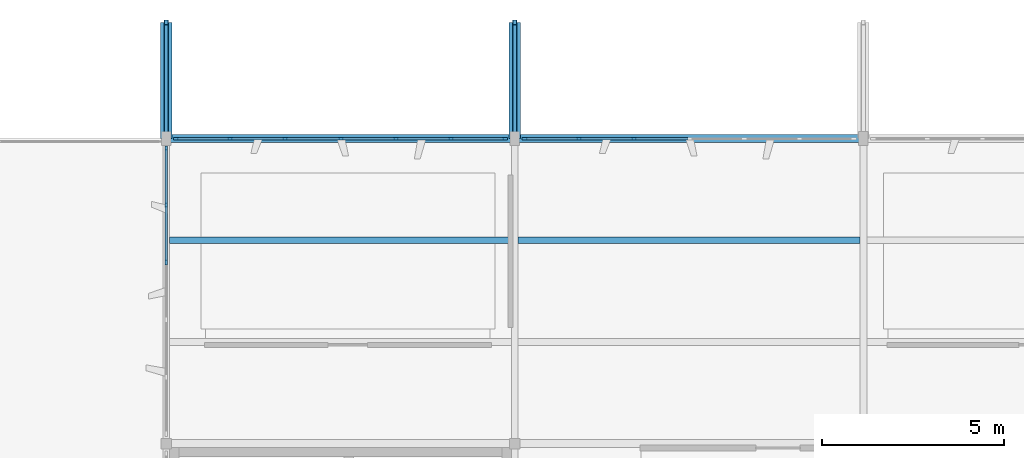
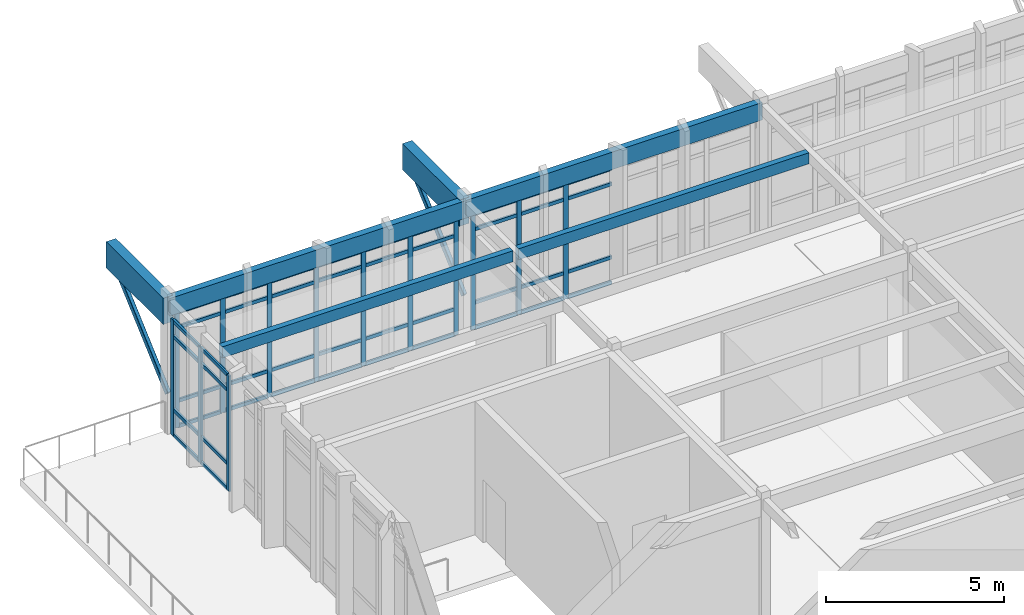
# One storey, part 8 of 19: 59 members, 6 beams, 3 elements without a shape of their own.
"""IFC4 building model written with IfcOpenShell, lengths in metres."""

from ifc_helpers import new_model, si_unit, direction, frame, origin, origin_2d, place, context, subcontext, project, spatial, rectangle, hollow_rectangle, extrude, material, layer, layer_set, material_profile, profile_set, type_object, element, aggregate, save


model = new_model("IFC4")

# Units and contexts
model_context = context("Model", 3, precision=1e-05, world=origin(), true_north=direction((0.0, 1.0)))
body_context = subcontext(model_context, "Body", "Model", "MODEL_VIEW")
ifc_project = project(units=[si_unit("LENGTHUNIT", "METRE"), si_unit("AREAUNIT", "SQUARE_METRE"), si_unit("VOLUMEUNIT", "CUBIC_METRE"), si_unit("PLANEANGLEUNIT", "RADIAN"), si_unit("MASSUNIT", "GRAM", prefix="KILO")], contexts=[model_context])

# Site, building, storey
site_placement = place(None, origin())
site = spatial("IfcSite", under=ifc_project, at=site_placement, CompositionType="ELEMENT")
building_placement = place(site_placement, origin())
building = spatial("IfcBuilding", under=site, at=building_placement, Name="Kolvemor Railside Polytechnic", CompositionType="ELEMENT")
storey_placement = place(building_placement, frame((0.0, 0.0, 27.0)))
storey = spatial("IfcBuildingStorey", under=building, at=storey_placement, Name="L06", CompositionType="ELEMENT", Elevation=27.0)

# Beams
ifc_material_1 = material(Name="Glulam GL28h", Category="wood")
ifc_material_profile_1 = material_profile(ifc_material_1, rectangle(XDim=0.31494140625, YDim=0.89990234375, at=origin_2d()), Name="GL315x900")
ifc_profile_set_1 = profile_set([ifc_material_profile_1], Name="Glulam GL28h")
beam_type_1 = type_object("IfcBeamType", Name="BM-GL-CANT", PredefinedType="BEAM", material=ifc_profile_set_1)
for number, where, z_axis, x_axis, name in (
    (1, (67.199951171875, 38.39990234375, 4.114990234375), (0.0, 1.0, 0.0), (-1.0, 0.0, 0.0), "Cantilever Outrigger RF-GYC 1765"),
    (2, (76.800048828125, 38.39990234375, 4.114990234375), (0.0, 1.0, 0.0), (-1.0, 0.0, 0.0), "Cantilever Outrigger RF-GYC 1772"),
):
    element("IfcBeam", number, at=place(storey_placement, frame(where, z_axis=z_axis, x_axis=x_axis)), inside=storey, type_object=beam_type_1, Name=name, PredefinedType="BEAM", context=body_context, shape_type="SweptSolid", body=[
        extrude(rectangle(XDim=0.31494140625, YDim=0.89990234375, at=origin_2d()), origin(), (0.0, 0.0, 1.0), 3.2001953125),
    ])
ifc_material_2 = material(Name="Glulam GL28h", Category="wood")
ifc_material_profile_2 = material_profile(ifc_material_2, rectangle(XDim=0.215087890625, YDim=0.60009765625, at=origin_2d()), Name="GL215x600")
ifc_profile_set_2 = profile_set([ifc_material_profile_2], Name="Glulam GL28h")
beam_type_2 = type_object("IfcBeamType", Name="BM-GL-EAVE", PredefinedType="BEAM", material=ifc_profile_set_2)
beam_1_placement = place(storey_placement, frame((67.199951171875, 38.39990234375, 4.264892578125), z_axis=(1.0, 0.0, 0.0), x_axis=(0.0, 1.0, 0.0)))
element("IfcBeam", 3, at=beam_1_placement, inside=storey, type_object=beam_type_2, Name="Primary Girder RF-GX 1755", PredefinedType="BEAM", context=body_context, shape_type="SweptSolid", body=[
    extrude(rectangle(XDim=0.215087890625, YDim=0.60009765625, at=origin_2d()), origin(), (0.0, 0.0, 1.0), 9.60009765625),
])
beam_2_placement = place(storey_placement, frame((76.800048828125, 38.39990234375, 4.264892578125), z_axis=(1.0, 0.0, 0.0), x_axis=(0.0, 1.0, 0.0)))
element("IfcBeam", 4, at=beam_2_placement, inside=storey, type_object=beam_type_2, Name="Primary Girder RF-GX 1756", PredefinedType="BEAM", context=body_context, shape_type="SweptSolid", body=[
    extrude(rectangle(XDim=0.215087890625, YDim=0.60009765625, at=origin_2d()), origin(), (0.0, 0.0, 1.0), 9.599853515625),
])
ifc_material_3 = material(Name="Glulam GL28h", Category="wood")
ifc_material_profile_3 = material_profile(ifc_material_3, rectangle(XDim=0.18505859375, YDim=0.3798828125, at=origin_2d()), Name="GL185x380")
ifc_profile_set_3 = profile_set([ifc_material_profile_3], Name="Glulam GL28h")
beam_type_3 = type_object("IfcBeamType", Name="BM-GL-JST6", PredefinedType="JOIST", material=ifc_profile_set_3)
for number, where, z_axis, x_axis, name in (
    (5, (67.2919921875, 35.60009765625, 4.375), (1.0, 0.0, 0.0), (0.0, 1.0, 0.0), "Floor Joist RF-J1805"),
    (6, (76.89208984375, 35.60009765625, 4.375), (1.0, 0.0, 0.0), (0.0, 1.0, 0.0), "Floor Joist RF-J1811"),
):
    element("IfcBeam", number, at=place(storey_placement, frame(where, z_axis=z_axis, x_axis=x_axis)), inside=storey, type_object=beam_type_3, Name=name, PredefinedType="JOIST", context=body_context, shape_type="SweptSolid", body=[
        extrude(rectangle(XDim=0.18505859375, YDim=0.3798828125, at=origin_2d()), origin(), (0.0, 0.0, 1.0), 9.416015625),
    ])

# Curtain wall, members
ifc_material_4 = material(Name="Anodised marine aluminium and laminated low-E glass", Category="aluminium")
ifc_layer = layer(ifc_material_4, 0.179931640625, Name="CW-STICK-LIB")
ifc_layer_set = layer_set([ifc_layer], Name="Anodised marine aluminium and laminated low-E glass")
curtain_wall_type = type_object("IfcCurtainWallType", Name="CW-STICK-LIB", PredefinedType="USERDEFINED", material=ifc_layer_set)
curtain_wall_1_placement = place(storey_placement, origin())
curtain_wall_1 = element("IfcCurtainWall", 7, at=curtain_wall_1_placement, inside=storey, type_object=curtain_wall_type, Name="Curtain Wall L06-141", ObjectType="STICK GLAZED SCREEN", PredefinedType="USERDEFINED")
ifc_material_5 = material(Name="Anodised marine aluminium 6063-T6", Category="aluminium")
ifc_material_profile_4 = material_profile(ifc_material_5, rectangle(XDim=0.06494140625, YDim=0.14990234375, at=origin_2d()), Name="CW-MUL-65x150")
ifc_profile_set_4 = profile_set([ifc_material_profile_4], Name="Anodised marine aluminium 6063-T6")
member_type_1 = type_object("IfcMemberType", Name="CWM-65x150", PredefinedType="MULLION", material=ifc_profile_set_4)
member_1_placement = place(storey_placement, frame((76.527587890625, 38.39990234375, 0.0), z_axis=(0.0, 0.0, 1.0), x_axis=(0.0, -1.0, 0.0)))
member_1 = element("IfcMember", 8, at=member_1_placement, type_object=member_type_1, Name="CW-LIB mullion 1", PredefinedType="MULLION", context=body_context, shape_type="SweptSolid", body=[
    extrude(rectangle(XDim=0.06494140625, YDim=0.14990234375, at=origin_2d()), origin(), (0.0, 0.0, 1.0), 3.965087890625),
])
member_2_placement = place(storey_placement, frame((75.0400390625, 38.39990234375, 0.0), z_axis=(0.0, 0.0, 1.0), x_axis=(0.0, -1.0, 0.0)))
member_2 = element("IfcMember", 9, at=member_2_placement, type_object=member_type_1, Name="CW-LIB mullion 2", PredefinedType="MULLION", context=body_context, shape_type="SweptSolid", body=[
    extrude(rectangle(XDim=0.06494140625, YDim=0.14990234375, at=origin_2d()), origin(), (0.0, 0.0, 1.0), 3.965087890625),
])
member_3_placement = place(storey_placement, frame((73.52001953125, 38.39990234375, 0.0), z_axis=(0.0, 0.0, 1.0), x_axis=(0.0, -1.0, 0.0)))
member_3 = element("IfcMember", 10, at=member_3_placement, type_object=member_type_1, Name="CW-LIB mullion 3", PredefinedType="MULLION", context=body_context, shape_type="SweptSolid", body=[
    extrude(rectangle(XDim=0.06494140625, YDim=0.14990234375, at=origin_2d()), origin(), (0.0, 0.0, 1.0), 3.965087890625),
])
member_4_placement = place(storey_placement, frame((72.0, 38.39990234375, 0.0), z_axis=(0.0, 0.0, 1.0), x_axis=(0.0, -1.0, 0.0)))
member_4 = element("IfcMember", 11, at=member_4_placement, type_object=member_type_1, Name="CW-LIB mullion 4", PredefinedType="MULLION", context=body_context, shape_type="SweptSolid", body=[
    extrude(rectangle(XDim=0.06494140625, YDim=0.14990234375, at=origin_2d()), origin(), (0.0, 0.0, 1.0), 3.965087890625),
])
member_5_placement = place(storey_placement, frame((70.47998046875, 38.39990234375, 0.0), z_axis=(0.0, 0.0, 1.0), x_axis=(0.0, -1.0, 0.0)))
member_5 = element("IfcMember", 12, at=member_5_placement, type_object=member_type_1, Name="CW-LIB mullion 5", PredefinedType="MULLION", context=body_context, shape_type="SweptSolid", body=[
    extrude(rectangle(XDim=0.06494140625, YDim=0.14990234375, at=origin_2d()), origin(), (0.0, 0.0, 1.0), 3.965087890625),
])
member_6_placement = place(storey_placement, frame((68.9599609375, 38.39990234375, 0.0), z_axis=(0.0, 0.0, 1.0), x_axis=(0.0, -1.0, 0.0)))
member_6 = element("IfcMember", 13, at=member_6_placement, type_object=member_type_1, Name="CW-LIB mullion 6", PredefinedType="MULLION", context=body_context, shape_type="SweptSolid", body=[
    extrude(rectangle(XDim=0.06494140625, YDim=0.14990234375, at=origin_2d()), origin(), (0.0, 0.0, 1.0), 3.965087890625),
])
member_7_placement = place(storey_placement, frame((67.472412109375, 38.39990234375, 0.0), z_axis=(0.0, 0.0, 1.0), x_axis=(0.0, -1.0, 0.0)))
member_7 = element("IfcMember", 14, at=member_7_placement, type_object=member_type_1, Name="CW-LIB mullion 7", PredefinedType="MULLION", context=body_context, shape_type="SweptSolid", body=[
    extrude(rectangle(XDim=0.06494140625, YDim=0.14990234375, at=origin_2d()), origin(), (0.0, 0.0, 1.0), 3.965087890625),
])

curtain_wall_2_placement = place(storey_placement, origin())
curtain_wall_2 = element("IfcCurtainWall", 15, at=curtain_wall_2_placement, inside=storey, type_object=curtain_wall_type, Name="Curtain Wall L06-143", ObjectType="STICK GLAZED SCREEN", PredefinedType="USERDEFINED")
member_8_placement = place(storey_placement, frame((80.080078125, 38.39990234375, 0.0), z_axis=(0.0, 0.0, 1.0), x_axis=(0.0, -1.0, 0.0)))
member_8 = element("IfcMember", 16, at=member_8_placement, type_object=member_type_1, Name="CW-LIB mullion 5", PredefinedType="MULLION", context=body_context, shape_type="SweptSolid", body=[
    extrude(rectangle(XDim=0.06494140625, YDim=0.14990234375, at=origin_2d()), origin(), (0.0, 0.0, 1.0), 3.965087890625),
])
member_9_placement = place(storey_placement, frame((78.56005859375, 38.39990234375, 0.0), z_axis=(0.0, 0.0, 1.0), x_axis=(0.0, -1.0, 0.0)))
member_9 = element("IfcMember", 17, at=member_9_placement, type_object=member_type_1, Name="CW-LIB mullion 6", PredefinedType="MULLION", context=body_context, shape_type="SweptSolid", body=[
    extrude(rectangle(XDim=0.06494140625, YDim=0.14990234375, at=origin_2d()), origin(), (0.0, 0.0, 1.0), 3.965087890625),
])
member_10_placement = place(storey_placement, frame((77.072509765625, 38.39990234375, 0.0), z_axis=(0.0, 0.0, 1.0), x_axis=(0.0, -1.0, 0.0)))
member_10 = element("IfcMember", 18, at=member_10_placement, type_object=member_type_1, Name="CW-LIB mullion 7", PredefinedType="MULLION", context=body_context, shape_type="SweptSolid", body=[
    extrude(rectangle(XDim=0.06494140625, YDim=0.14990234375, at=origin_2d()), origin(), (0.0, 0.0, 1.0), 3.965087890625),
])

curtain_wall_3_placement = place(storey_placement, origin())
curtain_wall_3 = element("IfcCurtainWall", 19, at=curtain_wall_3_placement, inside=storey, type_object=curtain_wall_type, Name="Curtain Wall L06-151", ObjectType="STICK GLAZED SCREEN", PredefinedType="USERDEFINED")
member_11_placement = place(storey_placement, frame((67.199951171875, 38.12744140625, 0.0), z_axis=(0.0, 0.0, 1.0), x_axis=(1.0, 0.0, 0.0)))
member_11 = element("IfcMember", 20, at=member_11_placement, type_object=member_type_1, Name="CW-LIB mullion 1", PredefinedType="MULLION", context=body_context, shape_type="SweptSolid", body=[
    extrude(rectangle(XDim=0.06494140625, YDim=0.14990234375, at=origin_2d()), origin(), (0.0, 0.0, 1.0), 3.965087890625),
])
member_12_placement = place(storey_placement, frame((67.199951171875, 36.575927734375, 0.0), z_axis=(0.0, 0.0, 1.0), x_axis=(1.0, 0.0, 0.0)))
member_12 = element("IfcMember", 21, at=member_12_placement, type_object=member_type_1, Name="CW-LIB mullion 2", PredefinedType="MULLION", context=body_context, shape_type="SweptSolid", body=[
    extrude(rectangle(XDim=0.06494140625, YDim=0.14990234375, at=origin_2d()), origin(), (0.0, 0.0, 1.0), 3.965087890625),
])
member_13_placement = place(storey_placement, frame((67.199951171875, 34.991943359375, 0.0), z_axis=(0.0, 0.0, 1.0), x_axis=(1.0, 0.0, 0.0)))
member_13 = element("IfcMember", 22, at=member_13_placement, type_object=member_type_1, Name="CW-LIB mullion 3", PredefinedType="MULLION", context=body_context, shape_type="SweptSolid", body=[
    extrude(rectangle(XDim=0.06494140625, YDim=0.14990234375, at=origin_2d()), origin(), (0.0, 0.0, 1.0), 3.965087890625),
])

# Member
ifc_material_6 = material(Name="Anodised marine aluminium 6063-T6", Category="aluminium")
ifc_material_profile_5 = material_profile(ifc_material_6, rectangle(XDim=0.06494140625, YDim=0.1201171875, at=origin_2d()), Name="CW-TRN-65x120")
ifc_profile_set_5 = profile_set([ifc_material_profile_5], Name="Anodised marine aluminium 6063-T6")
member_type_2 = type_object("IfcMemberType", Name="CWT-65x120", PredefinedType="USERDEFINED", material=ifc_profile_set_5)
member_14_placement = place(storey_placement, frame((76.4951171875, 38.39990234375, 0.032470703125), z_axis=(-1.0, 0.0, 0.0), x_axis=(0.0, -1.0, 0.0)))
member_14 = element("IfcMember", 23, at=member_14_placement, type_object=member_type_2, Name="CW-LIB transom 1.1", ObjectType="TRANSOM", PredefinedType="USERDEFINED", context=body_context, shape_type="SweptSolid", body=[
    extrude(rectangle(XDim=0.06494140625, YDim=0.1201171875, at=origin_2d()), origin(), (0.0, 0.0, 1.0), 1.422607421875),
])

member_15_placement = place(storey_placement, frame((76.4951171875, 38.39990234375, 0.89990234375), z_axis=(-1.0, 0.0, 0.0), x_axis=(0.0, -1.0, 0.0)))
member_15 = element("IfcMember", 24, at=member_15_placement, type_object=member_type_2, Name="CW-LIB transom 1.2", ObjectType="TRANSOM", PredefinedType="USERDEFINED", context=body_context, shape_type="SweptSolid", body=[
    extrude(rectangle(XDim=0.06494140625, YDim=0.1201171875, at=origin_2d()), origin(), (0.0, 0.0, 1.0), 1.422607421875),
])

member_16_placement = place(storey_placement, frame((76.4951171875, 38.39990234375, 3.4150390625), z_axis=(-1.0, 0.0, 0.0), x_axis=(0.0, -1.0, 0.0)))
member_16 = element("IfcMember", 25, at=member_16_placement, type_object=member_type_2, Name="CW-LIB transom 1.3", ObjectType="TRANSOM", PredefinedType="USERDEFINED", context=body_context, shape_type="SweptSolid", body=[
    extrude(rectangle(XDim=0.06494140625, YDim=0.1201171875, at=origin_2d()), origin(), (0.0, 0.0, 1.0), 1.422607421875),
])

member_17_placement = place(storey_placement, frame((76.4951171875, 38.39990234375, 3.9326171875), z_axis=(-1.0, 0.0, 0.0), x_axis=(0.0, -1.0, 0.0)))
member_17 = element("IfcMember", 26, at=member_17_placement, type_object=member_type_2, Name="CW-LIB transom 1.4", ObjectType="TRANSOM", PredefinedType="USERDEFINED", context=body_context, shape_type="SweptSolid", body=[
    extrude(rectangle(XDim=0.06494140625, YDim=0.1201171875, at=origin_2d()), origin(), (0.0, 0.0, 1.0), 1.422607421875),
])

member_18_placement = place(storey_placement, frame((75.007568359375, 38.39990234375, 0.032470703125), z_axis=(-1.0, 0.0, 0.0), x_axis=(0.0, -1.0, 0.0)))
member_18 = element("IfcMember", 27, at=member_18_placement, type_object=member_type_2, Name="CW-LIB transom 2.1", ObjectType="TRANSOM", PredefinedType="USERDEFINED", context=body_context, shape_type="SweptSolid", body=[
    extrude(rectangle(XDim=0.06494140625, YDim=0.1201171875, at=origin_2d()), origin(), (0.0, 0.0, 1.0), 1.455078125),
])

member_19_placement = place(storey_placement, frame((75.007568359375, 38.39990234375, 0.89990234375), z_axis=(-1.0, 0.0, 0.0), x_axis=(0.0, -1.0, 0.0)))
member_19 = element("IfcMember", 28, at=member_19_placement, type_object=member_type_2, Name="CW-LIB transom 2.2", ObjectType="TRANSOM", PredefinedType="USERDEFINED", context=body_context, shape_type="SweptSolid", body=[
    extrude(rectangle(XDim=0.06494140625, YDim=0.1201171875, at=origin_2d()), origin(), (0.0, 0.0, 1.0), 1.455078125),
])

member_20_placement = place(storey_placement, frame((75.007568359375, 38.39990234375, 3.4150390625), z_axis=(-1.0, 0.0, 0.0), x_axis=(0.0, -1.0, 0.0)))
member_20 = element("IfcMember", 29, at=member_20_placement, type_object=member_type_2, Name="CW-LIB transom 2.3", ObjectType="TRANSOM", PredefinedType="USERDEFINED", context=body_context, shape_type="SweptSolid", body=[
    extrude(rectangle(XDim=0.06494140625, YDim=0.1201171875, at=origin_2d()), origin(), (0.0, 0.0, 1.0), 1.455078125),
])

member_21_placement = place(storey_placement, frame((75.007568359375, 38.39990234375, 3.9326171875), z_axis=(-1.0, 0.0, 0.0), x_axis=(0.0, -1.0, 0.0)))
member_21 = element("IfcMember", 30, at=member_21_placement, type_object=member_type_2, Name="CW-LIB transom 2.4", ObjectType="TRANSOM", PredefinedType="USERDEFINED", context=body_context, shape_type="SweptSolid", body=[
    extrude(rectangle(XDim=0.06494140625, YDim=0.1201171875, at=origin_2d()), origin(), (0.0, 0.0, 1.0), 1.455078125),
])

member_22_placement = place(storey_placement, frame((73.487548828125, 38.39990234375, 0.032470703125), z_axis=(-1.0, 0.0, 0.0), x_axis=(0.0, -1.0, 0.0)))
member_22 = element("IfcMember", 31, at=member_22_placement, type_object=member_type_2, Name="CW-LIB transom 3.1", ObjectType="TRANSOM", PredefinedType="USERDEFINED", context=body_context, shape_type="SweptSolid", body=[
    extrude(rectangle(XDim=0.06494140625, YDim=0.1201171875, at=origin_2d()), origin(), (0.0, 0.0, 1.0), 1.455078125),
])

member_23_placement = place(storey_placement, frame((73.487548828125, 38.39990234375, 0.89990234375), z_axis=(-1.0, 0.0, 0.0), x_axis=(0.0, -1.0, 0.0)))
member_23 = element("IfcMember", 32, at=member_23_placement, type_object=member_type_2, Name="CW-LIB transom 3.2", ObjectType="TRANSOM", PredefinedType="USERDEFINED", context=body_context, shape_type="SweptSolid", body=[
    extrude(rectangle(XDim=0.06494140625, YDim=0.1201171875, at=origin_2d()), origin(), (0.0, 0.0, 1.0), 1.455078125),
])

member_24_placement = place(storey_placement, frame((73.487548828125, 38.39990234375, 3.4150390625), z_axis=(-1.0, 0.0, 0.0), x_axis=(0.0, -1.0, 0.0)))
member_24 = element("IfcMember", 33, at=member_24_placement, type_object=member_type_2, Name="CW-LIB transom 3.3", ObjectType="TRANSOM", PredefinedType="USERDEFINED", context=body_context, shape_type="SweptSolid", body=[
    extrude(rectangle(XDim=0.06494140625, YDim=0.1201171875, at=origin_2d()), origin(), (0.0, 0.0, 1.0), 1.455078125),
])

member_25_placement = place(storey_placement, frame((73.487548828125, 38.39990234375, 3.9326171875), z_axis=(-1.0, 0.0, 0.0), x_axis=(0.0, -1.0, 0.0)))
member_25 = element("IfcMember", 34, at=member_25_placement, type_object=member_type_2, Name="CW-LIB transom 3.4", ObjectType="TRANSOM", PredefinedType="USERDEFINED", context=body_context, shape_type="SweptSolid", body=[
    extrude(rectangle(XDim=0.06494140625, YDim=0.1201171875, at=origin_2d()), origin(), (0.0, 0.0, 1.0), 1.455078125),
])

member_26_placement = place(storey_placement, frame((71.967529296875, 38.39990234375, 0.032470703125), z_axis=(-1.0, 0.0, 0.0), x_axis=(0.0, -1.0, 0.0)))
member_26 = element("IfcMember", 35, at=member_26_placement, type_object=member_type_2, Name="CW-LIB transom 4.1", ObjectType="TRANSOM", PredefinedType="USERDEFINED", context=body_context, shape_type="SweptSolid", body=[
    extrude(rectangle(XDim=0.06494140625, YDim=0.1201171875, at=origin_2d()), origin(), (0.0, 0.0, 1.0), 1.455078125),
])

member_27_placement = place(storey_placement, frame((71.967529296875, 38.39990234375, 0.89990234375), z_axis=(-1.0, 0.0, 0.0), x_axis=(0.0, -1.0, 0.0)))
member_27 = element("IfcMember", 36, at=member_27_placement, type_object=member_type_2, Name="CW-LIB transom 4.2", ObjectType="TRANSOM", PredefinedType="USERDEFINED", context=body_context, shape_type="SweptSolid", body=[
    extrude(rectangle(XDim=0.06494140625, YDim=0.1201171875, at=origin_2d()), origin(), (0.0, 0.0, 1.0), 1.455078125),
])

member_28_placement = place(storey_placement, frame((71.967529296875, 38.39990234375, 3.4150390625), z_axis=(-1.0, 0.0, 0.0), x_axis=(0.0, -1.0, 0.0)))
member_28 = element("IfcMember", 37, at=member_28_placement, type_object=member_type_2, Name="CW-LIB transom 4.3", ObjectType="TRANSOM", PredefinedType="USERDEFINED", context=body_context, shape_type="SweptSolid", body=[
    extrude(rectangle(XDim=0.06494140625, YDim=0.1201171875, at=origin_2d()), origin(), (0.0, 0.0, 1.0), 1.455078125),
])

member_29_placement = place(storey_placement, frame((71.967529296875, 38.39990234375, 3.9326171875), z_axis=(-1.0, 0.0, 0.0), x_axis=(0.0, -1.0, 0.0)))
member_29 = element("IfcMember", 38, at=member_29_placement, type_object=member_type_2, Name="CW-LIB transom 4.4", ObjectType="TRANSOM", PredefinedType="USERDEFINED", context=body_context, shape_type="SweptSolid", body=[
    extrude(rectangle(XDim=0.06494140625, YDim=0.1201171875, at=origin_2d()), origin(), (0.0, 0.0, 1.0), 1.455078125),
])

member_30_placement = place(storey_placement, frame((70.447509765625, 38.39990234375, 0.032470703125), z_axis=(-1.0, 0.0, 0.0), x_axis=(0.0, -1.0, 0.0)))
member_30 = element("IfcMember", 39, at=member_30_placement, type_object=member_type_2, Name="CW-LIB transom 5.1", ObjectType="TRANSOM", PredefinedType="USERDEFINED", context=body_context, shape_type="SweptSolid", body=[
    extrude(rectangle(XDim=0.06494140625, YDim=0.1201171875, at=origin_2d()), origin(), (0.0, 0.0, 1.0), 1.455078125),
])

member_31_placement = place(storey_placement, frame((70.447509765625, 38.39990234375, 0.89990234375), z_axis=(-1.0, 0.0, 0.0), x_axis=(0.0, -1.0, 0.0)))
member_31 = element("IfcMember", 40, at=member_31_placement, type_object=member_type_2, Name="CW-LIB transom 5.2", ObjectType="TRANSOM", PredefinedType="USERDEFINED", context=body_context, shape_type="SweptSolid", body=[
    extrude(rectangle(XDim=0.06494140625, YDim=0.1201171875, at=origin_2d()), origin(), (0.0, 0.0, 1.0), 1.455078125),
])

member_32_placement = place(storey_placement, frame((70.447509765625, 38.39990234375, 3.4150390625), z_axis=(-1.0, 0.0, 0.0), x_axis=(0.0, -1.0, 0.0)))
member_32 = element("IfcMember", 41, at=member_32_placement, type_object=member_type_2, Name="CW-LIB transom 5.3", ObjectType="TRANSOM", PredefinedType="USERDEFINED", context=body_context, shape_type="SweptSolid", body=[
    extrude(rectangle(XDim=0.06494140625, YDim=0.1201171875, at=origin_2d()), origin(), (0.0, 0.0, 1.0), 1.455078125),
])

member_33_placement = place(storey_placement, frame((70.447509765625, 38.39990234375, 3.9326171875), z_axis=(-1.0, 0.0, 0.0), x_axis=(0.0, -1.0, 0.0)))
member_33 = element("IfcMember", 42, at=member_33_placement, type_object=member_type_2, Name="CW-LIB transom 5.4", ObjectType="TRANSOM", PredefinedType="USERDEFINED", context=body_context, shape_type="SweptSolid", body=[
    extrude(rectangle(XDim=0.06494140625, YDim=0.1201171875, at=origin_2d()), origin(), (0.0, 0.0, 1.0), 1.455078125),
])

member_34_placement = place(storey_placement, frame((68.927490234375, 38.39990234375, 0.032470703125), z_axis=(-1.0, 0.0, 0.0), x_axis=(0.0, -1.0, 0.0)))
member_34 = element("IfcMember", 43, at=member_34_placement, type_object=member_type_2, Name="CW-LIB transom 6.1", ObjectType="TRANSOM", PredefinedType="USERDEFINED", context=body_context, shape_type="SweptSolid", body=[
    extrude(rectangle(XDim=0.06494140625, YDim=0.1201171875, at=origin_2d()), origin(), (0.0, 0.0, 1.0), 1.422607421875),
])

member_35_placement = place(storey_placement, frame((68.927490234375, 38.39990234375, 0.89990234375), z_axis=(-1.0, 0.0, 0.0), x_axis=(0.0, -1.0, 0.0)))
member_35 = element("IfcMember", 44, at=member_35_placement, type_object=member_type_2, Name="CW-LIB transom 6.2", ObjectType="TRANSOM", PredefinedType="USERDEFINED", context=body_context, shape_type="SweptSolid", body=[
    extrude(rectangle(XDim=0.06494140625, YDim=0.1201171875, at=origin_2d()), origin(), (0.0, 0.0, 1.0), 1.422607421875),
])

member_36_placement = place(storey_placement, frame((68.927490234375, 38.39990234375, 3.4150390625), z_axis=(-1.0, 0.0, 0.0), x_axis=(0.0, -1.0, 0.0)))
member_36 = element("IfcMember", 45, at=member_36_placement, type_object=member_type_2, Name="CW-LIB transom 6.3", ObjectType="TRANSOM", PredefinedType="USERDEFINED", context=body_context, shape_type="SweptSolid", body=[
    extrude(rectangle(XDim=0.06494140625, YDim=0.1201171875, at=origin_2d()), origin(), (0.0, 0.0, 1.0), 1.422607421875),
])

member_37_placement = place(storey_placement, frame((68.927490234375, 38.39990234375, 3.9326171875), z_axis=(-1.0, 0.0, 0.0), x_axis=(0.0, -1.0, 0.0)))
member_37 = element("IfcMember", 46, at=member_37_placement, type_object=member_type_2, Name="CW-LIB transom 6.4", ObjectType="TRANSOM", PredefinedType="USERDEFINED", context=body_context, shape_type="SweptSolid", body=[
    extrude(rectangle(XDim=0.06494140625, YDim=0.1201171875, at=origin_2d()), origin(), (0.0, 0.0, 1.0), 1.422607421875),
])

aggregate(curtain_wall_1, [member_1, member_2, member_3, member_4, member_5, member_6, member_7, member_14, member_15, member_16, member_17, member_18, member_19, member_20, member_21, member_22, member_23, member_24, member_25, member_26, member_27, member_28, member_29, member_30, member_31, member_32, member_33, member_34, member_35, member_36, member_37])

member_38_placement = place(storey_placement, frame((81.5673828125, 38.39990234375, 0.032470703125), z_axis=(-1.0, 0.0, 0.0), x_axis=(0.0, -1.0, 0.0)))
member_38 = element("IfcMember", 47, at=member_38_placement, type_object=member_type_2, Name="CW-LIB transom 4.1", ObjectType="TRANSOM", PredefinedType="USERDEFINED", context=body_context, shape_type="SweptSolid", body=[
    extrude(rectangle(XDim=0.06494140625, YDim=0.1201171875, at=origin_2d()), origin(), (0.0, 0.0, 1.0), 1.454833984375),
])

member_39_placement = place(storey_placement, frame((81.5673828125, 38.39990234375, 0.89990234375), z_axis=(-1.0, 0.0, 0.0), x_axis=(0.0, -1.0, 0.0)))
member_39 = element("IfcMember", 48, at=member_39_placement, type_object=member_type_2, Name="CW-LIB transom 4.2", ObjectType="TRANSOM", PredefinedType="USERDEFINED", context=body_context, shape_type="SweptSolid", body=[
    extrude(rectangle(XDim=0.06494140625, YDim=0.1201171875, at=origin_2d()), origin(), (0.0, 0.0, 1.0), 1.454833984375),
])

member_40_placement = place(storey_placement, frame((81.5673828125, 38.39990234375, 3.4150390625), z_axis=(-1.0, 0.0, 0.0), x_axis=(0.0, -1.0, 0.0)))
member_40 = element("IfcMember", 49, at=member_40_placement, type_object=member_type_2, Name="CW-LIB transom 4.3", ObjectType="TRANSOM", PredefinedType="USERDEFINED", context=body_context, shape_type="SweptSolid", body=[
    extrude(rectangle(XDim=0.06494140625, YDim=0.1201171875, at=origin_2d()), origin(), (0.0, 0.0, 1.0), 1.454833984375),
])

member_41_placement = place(storey_placement, frame((81.5673828125, 38.39990234375, 3.9326171875), z_axis=(-1.0, 0.0, 0.0), x_axis=(0.0, -1.0, 0.0)))
member_41 = element("IfcMember", 50, at=member_41_placement, type_object=member_type_2, Name="CW-LIB transom 4.4", ObjectType="TRANSOM", PredefinedType="USERDEFINED", context=body_context, shape_type="SweptSolid", body=[
    extrude(rectangle(XDim=0.06494140625, YDim=0.1201171875, at=origin_2d()), origin(), (0.0, 0.0, 1.0), 1.454833984375),
])

member_42_placement = place(storey_placement, frame((80.047607421875, 38.39990234375, 0.032470703125), z_axis=(-1.0, 0.0, 0.0), x_axis=(0.0, -1.0, 0.0)))
member_42 = element("IfcMember", 51, at=member_42_placement, type_object=member_type_2, Name="CW-LIB transom 5.1", ObjectType="TRANSOM", PredefinedType="USERDEFINED", context=body_context, shape_type="SweptSolid", body=[
    extrude(rectangle(XDim=0.06494140625, YDim=0.1201171875, at=origin_2d()), origin(), (0.0, 0.0, 1.0), 1.455078125),
])

member_43_placement = place(storey_placement, frame((80.047607421875, 38.39990234375, 0.89990234375), z_axis=(-1.0, 0.0, 0.0), x_axis=(0.0, -1.0, 0.0)))
member_43 = element("IfcMember", 52, at=member_43_placement, type_object=member_type_2, Name="CW-LIB transom 5.2", ObjectType="TRANSOM", PredefinedType="USERDEFINED", context=body_context, shape_type="SweptSolid", body=[
    extrude(rectangle(XDim=0.06494140625, YDim=0.1201171875, at=origin_2d()), origin(), (0.0, 0.0, 1.0), 1.455078125),
])

member_44_placement = place(storey_placement, frame((80.047607421875, 38.39990234375, 3.4150390625), z_axis=(-1.0, 0.0, 0.0), x_axis=(0.0, -1.0, 0.0)))
member_44 = element("IfcMember", 53, at=member_44_placement, type_object=member_type_2, Name="CW-LIB transom 5.3", ObjectType="TRANSOM", PredefinedType="USERDEFINED", context=body_context, shape_type="SweptSolid", body=[
    extrude(rectangle(XDim=0.06494140625, YDim=0.1201171875, at=origin_2d()), origin(), (0.0, 0.0, 1.0), 1.455078125),
])

member_45_placement = place(storey_placement, frame((80.047607421875, 38.39990234375, 3.9326171875), z_axis=(-1.0, 0.0, 0.0), x_axis=(0.0, -1.0, 0.0)))
member_45 = element("IfcMember", 54, at=member_45_placement, type_object=member_type_2, Name="CW-LIB transom 5.4", ObjectType="TRANSOM", PredefinedType="USERDEFINED", context=body_context, shape_type="SweptSolid", body=[
    extrude(rectangle(XDim=0.06494140625, YDim=0.1201171875, at=origin_2d()), origin(), (0.0, 0.0, 1.0), 1.455078125),
])

member_46_placement = place(storey_placement, frame((78.527587890625, 38.39990234375, 0.032470703125), z_axis=(-1.0, 0.0, 0.0), x_axis=(0.0, -1.0, 0.0)))
member_46 = element("IfcMember", 55, at=member_46_placement, type_object=member_type_2, Name="CW-LIB transom 6.1", ObjectType="TRANSOM", PredefinedType="USERDEFINED", context=body_context, shape_type="SweptSolid", body=[
    extrude(rectangle(XDim=0.06494140625, YDim=0.1201171875, at=origin_2d()), origin(), (0.0, 0.0, 1.0), 1.422607421875),
])

member_47_placement = place(storey_placement, frame((78.527587890625, 38.39990234375, 0.89990234375), z_axis=(-1.0, 0.0, 0.0), x_axis=(0.0, -1.0, 0.0)))
member_47 = element("IfcMember", 56, at=member_47_placement, type_object=member_type_2, Name="CW-LIB transom 6.2", ObjectType="TRANSOM", PredefinedType="USERDEFINED", context=body_context, shape_type="SweptSolid", body=[
    extrude(rectangle(XDim=0.06494140625, YDim=0.1201171875, at=origin_2d()), origin(), (0.0, 0.0, 1.0), 1.422607421875),
])

member_48_placement = place(storey_placement, frame((78.527587890625, 38.39990234375, 3.4150390625), z_axis=(-1.0, 0.0, 0.0), x_axis=(0.0, -1.0, 0.0)))
member_48 = element("IfcMember", 57, at=member_48_placement, type_object=member_type_2, Name="CW-LIB transom 6.3", ObjectType="TRANSOM", PredefinedType="USERDEFINED", context=body_context, shape_type="SweptSolid", body=[
    extrude(rectangle(XDim=0.06494140625, YDim=0.1201171875, at=origin_2d()), origin(), (0.0, 0.0, 1.0), 1.422607421875),
])

member_49_placement = place(storey_placement, frame((78.527587890625, 38.39990234375, 3.9326171875), z_axis=(-1.0, 0.0, 0.0), x_axis=(0.0, -1.0, 0.0)))
member_49 = element("IfcMember", 58, at=member_49_placement, type_object=member_type_2, Name="CW-LIB transom 6.4", ObjectType="TRANSOM", PredefinedType="USERDEFINED", context=body_context, shape_type="SweptSolid", body=[
    extrude(rectangle(XDim=0.06494140625, YDim=0.1201171875, at=origin_2d()), origin(), (0.0, 0.0, 1.0), 1.422607421875),
])

aggregate(curtain_wall_2, [member_8, member_9, member_10, member_38, member_39, member_40, member_41, member_42, member_43, member_44, member_45, member_46, member_47, member_48, member_49])

member_50_placement = place(storey_placement, frame((67.199951171875, 38.094970703125, 0.032470703125), z_axis=(0.0, -1.0, 0.0), x_axis=(1.0, 0.0, 0.0)))
member_50 = element("IfcMember", 59, at=member_50_placement, type_object=member_type_2, Name="CW-LIB transom 1.1", ObjectType="TRANSOM", PredefinedType="USERDEFINED", context=body_context, shape_type="SweptSolid", body=[
    extrude(rectangle(XDim=0.06494140625, YDim=0.1201171875, at=origin_2d()), origin(), (0.0, 0.0, 1.0), 1.486572265625),
])

member_51_placement = place(storey_placement, frame((67.199951171875, 38.094970703125, 0.89990234375), z_axis=(0.0, -1.0, 0.0), x_axis=(1.0, 0.0, 0.0)))
member_51 = element("IfcMember", 60, at=member_51_placement, type_object=member_type_2, Name="CW-LIB transom 1.2", ObjectType="TRANSOM", PredefinedType="USERDEFINED", context=body_context, shape_type="SweptSolid", body=[
    extrude(rectangle(XDim=0.06494140625, YDim=0.1201171875, at=origin_2d()), origin(), (0.0, 0.0, 1.0), 1.486572265625),
])

member_52_placement = place(storey_placement, frame((67.199951171875, 38.094970703125, 3.4150390625), z_axis=(0.0, -1.0, 0.0), x_axis=(1.0, 0.0, 0.0)))
member_52 = element("IfcMember", 61, at=member_52_placement, type_object=member_type_2, Name="CW-LIB transom 1.3", ObjectType="TRANSOM", PredefinedType="USERDEFINED", context=body_context, shape_type="SweptSolid", body=[
    extrude(rectangle(XDim=0.06494140625, YDim=0.1201171875, at=origin_2d()), origin(), (0.0, 0.0, 1.0), 1.486572265625),
])

member_53_placement = place(storey_placement, frame((67.199951171875, 38.094970703125, 3.9326171875), z_axis=(0.0, -1.0, 0.0), x_axis=(1.0, 0.0, 0.0)))
member_53 = element("IfcMember", 62, at=member_53_placement, type_object=member_type_2, Name="CW-LIB transom 1.4", ObjectType="TRANSOM", PredefinedType="USERDEFINED", context=body_context, shape_type="SweptSolid", body=[
    extrude(rectangle(XDim=0.06494140625, YDim=0.1201171875, at=origin_2d()), origin(), (0.0, 0.0, 1.0), 1.486572265625),
])

member_54_placement = place(storey_placement, frame((67.199951171875, 36.54345703125, 0.032470703125), z_axis=(0.0, -1.0, 0.0), x_axis=(1.0, 0.0, 0.0)))
member_54 = element("IfcMember", 63, at=member_54_placement, type_object=member_type_2, Name="CW-LIB transom 2.1", ObjectType="TRANSOM", PredefinedType="USERDEFINED", context=body_context, shape_type="SweptSolid", body=[
    extrude(rectangle(XDim=0.06494140625, YDim=0.1201171875, at=origin_2d()), origin(), (0.0, 0.0, 1.0), 1.51904296875),
])

member_55_placement = place(storey_placement, frame((67.199951171875, 36.54345703125, 0.89990234375), z_axis=(0.0, -1.0, 0.0), x_axis=(1.0, 0.0, 0.0)))
member_55 = element("IfcMember", 64, at=member_55_placement, type_object=member_type_2, Name="CW-LIB transom 2.2", ObjectType="TRANSOM", PredefinedType="USERDEFINED", context=body_context, shape_type="SweptSolid", body=[
    extrude(rectangle(XDim=0.06494140625, YDim=0.1201171875, at=origin_2d()), origin(), (0.0, 0.0, 1.0), 1.51904296875),
])

member_56_placement = place(storey_placement, frame((67.199951171875, 36.54345703125, 3.4150390625), z_axis=(0.0, -1.0, 0.0), x_axis=(1.0, 0.0, 0.0)))
member_56 = element("IfcMember", 65, at=member_56_placement, type_object=member_type_2, Name="CW-LIB transom 2.3", ObjectType="TRANSOM", PredefinedType="USERDEFINED", context=body_context, shape_type="SweptSolid", body=[
    extrude(rectangle(XDim=0.06494140625, YDim=0.1201171875, at=origin_2d()), origin(), (0.0, 0.0, 1.0), 1.51904296875),
])

member_57_placement = place(storey_placement, frame((67.199951171875, 36.54345703125, 3.9326171875), z_axis=(0.0, -1.0, 0.0), x_axis=(1.0, 0.0, 0.0)))
member_57 = element("IfcMember", 66, at=member_57_placement, type_object=member_type_2, Name="CW-LIB transom 2.4", ObjectType="TRANSOM", PredefinedType="USERDEFINED", context=body_context, shape_type="SweptSolid", body=[
    extrude(rectangle(XDim=0.06494140625, YDim=0.1201171875, at=origin_2d()), origin(), (0.0, 0.0, 1.0), 1.51904296875),
])

aggregate(curtain_wall_3, [member_11, member_12, member_13, member_50, member_51, member_52, member_53, member_54, member_55, member_56, member_57])

# Members
ifc_material_7 = material(Name="Steel S355", Category="steel")
ifc_material_profile_6 = material_profile(ifc_material_7, hollow_rectangle(XDim=0.1201171875, YDim=0.199951171875, WallThickness=0.008056640625, InnerFilletRadius=0.008056640625, OuterFilletRadius=0.01611328125, at=origin_2d()), Name="HSS200x120x8")
ifc_profile_set_6 = profile_set([ifc_material_profile_6], Name="Steel S355")
member_type_3 = type_object("IfcMemberType", Name="MEM-BR-HSS2", PredefinedType="BRACE", material=ifc_profile_set_6)
for number, where, z_axis, x_axis, name in (
    (67, (67.199951171875, 38.39990234375, 1.264892578125), (0.0, 0.746774046934, 0.665077832156), (-1.0, 0.0, 0.0), "Overhang Knee Strut RF-KN1766"),
    (68, (76.800048828125, 38.39990234375, 1.264892578125), (0.0, 0.746774046934, 0.665077832156), (-1.0, 0.0, 0.0), "Overhang Knee Strut RF-KN1773"),
):
    element("IfcMember", number, at=place(storey_placement, frame(where, z_axis=z_axis, x_axis=x_axis)), inside=storey, type_object=member_type_3, Name=name, PredefinedType="BRACE", context=body_context, shape_type="SweptSolid", body=[
        extrude(hollow_rectangle(XDim=0.1201171875, YDim=0.199951171875, WallThickness=0.008056640625, InnerFilletRadius=0.008056640625, OuterFilletRadius=0.01611328125, at=origin_2d()), origin(), (0.0, 0.0, 1.0), 4.285400390625),
    ])

save(model, "model.ifc")
